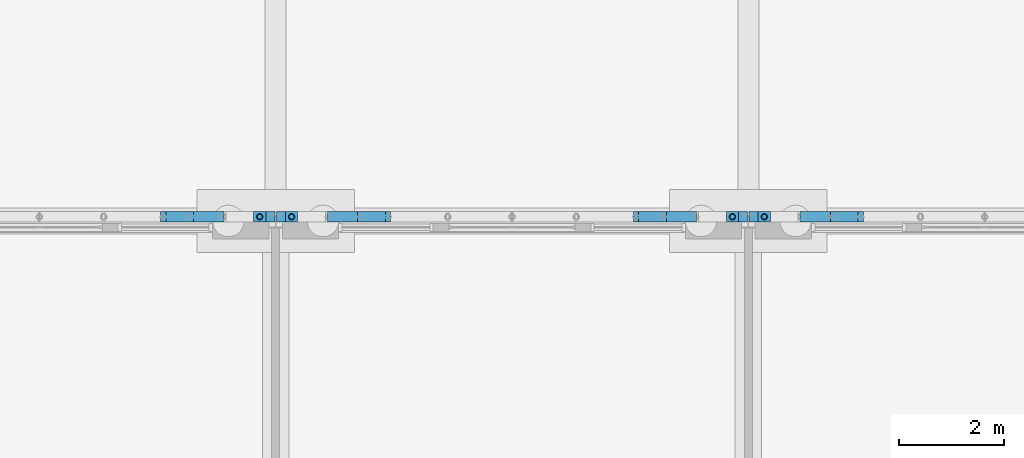
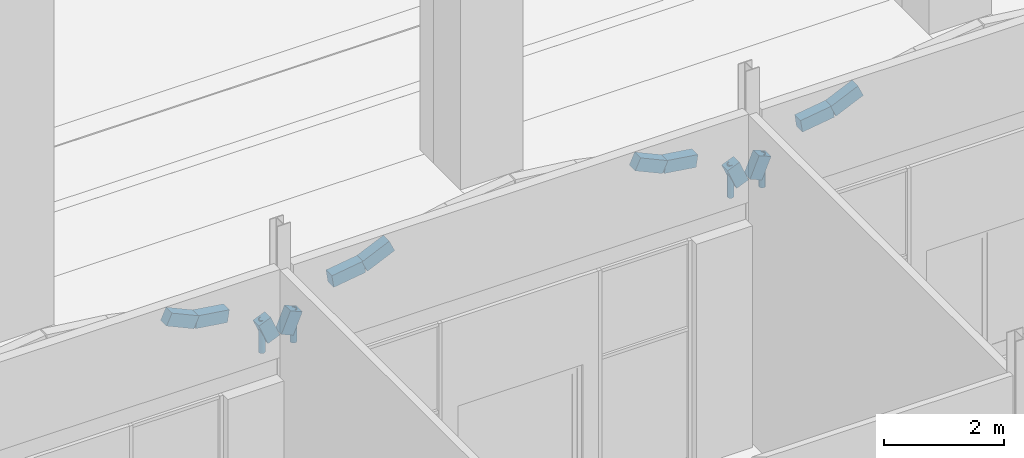
# One storey, part 72 of 250: 12 beams, 4 members.
"""IFC4 building model written with IfcOpenShell, lengths in metres."""

from ifc_helpers import new_model, si_unit, direction, frame, origin, origin_2d, place, context, subcontext, project, spatial, rectangle, hollow_circle, extrude, material, material_profile, profile_set, type_object, element, save


model = new_model("IFC4")

# Units and contexts
model_context = context("Model", 3, precision=1e-05, world=origin(), true_north=direction((0.0, 1.0)))
body_context = subcontext(model_context, "Body", "Model", "MODEL_VIEW")
ifc_project = project(units=[si_unit("LENGTHUNIT", "METRE"), si_unit("AREAUNIT", "SQUARE_METRE"), si_unit("VOLUMEUNIT", "CUBIC_METRE"), si_unit("PLANEANGLEUNIT", "RADIAN"), si_unit("MASSUNIT", "GRAM", prefix="KILO")], contexts=[model_context])

# Site, building, storey
site_placement = place(None, origin())
site = spatial("IfcSite", under=ifc_project, at=site_placement, CompositionType="ELEMENT")
building_placement = place(site_placement, origin())
building = spatial("IfcBuilding", under=site, at=building_placement, Name="Baradari Gate Terminus", CompositionType="ELEMENT")
storey_placement = place(building_placement, origin())
storey = spatial("IfcBuildingStorey", under=building, at=storey_placement, Name="L00", CompositionType="ELEMENT", Elevation=0.0)

# Members
ifc_material_1 = material(Name="Steel S355", Category="steel")
ifc_material_profile_1 = material_profile(ifc_material_1, hollow_circle(Radius=0.05712890625, WallThickness=0.00634765625, at=origin_2d()), Name="CHS 114.3x6.3")
ifc_profile_set_1 = profile_set([ifc_material_profile_1], Name="Steel S355")
member_type = type_object("IfcMemberType", Name="Arcade arch post SP-2 114x6.3", PredefinedType="POST", material=ifc_profile_set_1)
for number, where, z_axis, x_axis, name in (
    (1, (206.697021484375, 108.07861328125, 4.89990234375), (0.0, 0.0, 1.0), (1.0, 0.0, 0.0), "Arcade arch post 22.12"),
    (2, (207.302978515625, 108.07861328125, 4.89990234375), (0.0, 0.0, 1.0), (1.0, 0.0, 0.0), "Arcade arch post 23.2"),
    (3, (215.697021484375, 108.07861328125, 4.89990234375), (0.0, 0.0, 1.0), (1.0, 0.0, 0.0), "Arcade arch post 23.12"),
    (4, (216.302978515625, 108.07861328125, 4.89990234375), (0.0, 0.0, 1.0), (1.0, 0.0, 0.0), "Arcade arch post 24.2"),
):
    element("IfcMember", number, at=place(storey_placement, frame(where, z_axis=z_axis, x_axis=x_axis)), inside=storey, type_object=member_type, Name=name, PredefinedType="POST", context=body_context, shape_type="SweptSolid", body=[
        extrude(hollow_circle(Radius=0.05712890625, WallThickness=0.00634765625, at=origin_2d()), origin(), (0.0, 0.0, 1.0), 0.66796875),
    ])

# Beams
ifc_material_2 = material(Name="Concrete C40/50 precast", Category="concrete")
ifc_material_profile_2 = material_profile(ifc_material_2, rectangle(XDim=0.199951171875, YDim=0.25, at=origin_2d()), Name="AB-1 200X250")
ifc_profile_set_2 = profile_set([ifc_material_profile_2], Name="Concrete C40/50 precast")
beam_type = type_object("IfcBeamType", Name="Arcade arch segment AB-1 200x250", PredefinedType="BEAM", material=ifc_profile_set_2)
beam_1_placement = place(storey_placement, frame((204.86083984375, 108.07861328125, 6.254150390625), z_axis=(0.910177822616, 0.0, -0.414217734071), x_axis=(0.0, 1.0, 0.0)))
element("IfcBeam", 5, at=beam_1_placement, inside=storey, type_object=beam_type, Name="Arcade arch AB-1 bay 22 segment 9", PredefinedType="BEAM", context=body_context, shape_type="SweptSolid", body=[
    extrude(rectangle(XDim=0.199951171875, YDim=0.25, at=origin_2d()), origin(), (0.0, 0.0, 1.0), 0.576416015625),
])
beam_2_placement = place(storey_placement, frame((205.385498046875, 108.07861328125, 6.015380859375), z_axis=(0.989454167091, 0.0, -0.144846302083), x_axis=(0.0, 1.0, 0.0)))
element("IfcBeam", 6, at=beam_2_placement, inside=storey, type_object=beam_type, Name="Arcade arch AB-1 bay 22 segment 10", PredefinedType="BEAM", context=body_context, shape_type="SweptSolid", body=[
    extrude(rectangle(XDim=0.199951171875, YDim=0.25, at=origin_2d()), origin(), (0.0, 0.0, 1.0), 0.61865234375),
])
for number, where, z_axis, x_axis, name in (
    (7, (206.697021484375, 108.07861328125, 5.56787109375), (0.385839488106, 0.0, -0.922565926868), (0.0, 1.0, 0.0), "Arcade arch AB-1 bay 22 segment 12"),
    (8, (207.128173828125, 108.07861328125, 5.14990234375), (0.385839488106, 0.0, 0.922565926868), (0.0, 1.0, 0.0), "Arcade arch AB-1 bay 23 segment 1"),
):
    element("IfcBeam", number, at=place(storey_placement, frame(where, z_axis=z_axis, x_axis=x_axis)), inside=storey, type_object=beam_type, Name=name, PredefinedType="BEAM", context=body_context, shape_type="SweptSolid", body=[
        extrude(rectangle(XDim=0.199951171875, YDim=0.25, at=origin_2d()), origin(), (0.0, 0.0, 1.0), 0.453125),
    ])
beam_3_placement = place(storey_placement, frame((208.00244140625, 108.07861328125, 5.92578125), z_axis=(0.989454167091, 0.0, 0.144846302083), x_axis=(0.0, 1.0, 0.0)))
element("IfcBeam", 9, at=beam_3_placement, inside=storey, type_object=beam_type, Name="Arcade arch AB-1 bay 23 segment 3", PredefinedType="BEAM", context=body_context, shape_type="SweptSolid", body=[
    extrude(rectangle(XDim=0.199951171875, YDim=0.25, at=origin_2d()), origin(), (0.0, 0.0, 1.0), 0.61865234375),
])
for number, where, z_axis, x_axis, name in (
    (10, (208.614501953125, 108.07861328125, 6.015380859375), (0.910177822616, 0.0, 0.414217734071), (0.0, 1.0, 0.0), "Arcade arch AB-1 bay 23 segment 4"),
    (11, (213.86083984375, 108.07861328125, 6.254150390625), (0.910177822616, 0.0, -0.414217734071), (0.0, 1.0, 0.0), "Arcade arch AB-1 bay 23 segment 9"),
):
    element("IfcBeam", number, at=place(storey_placement, frame(where, z_axis=z_axis, x_axis=x_axis)), inside=storey, type_object=beam_type, Name=name, PredefinedType="BEAM", context=body_context, shape_type="SweptSolid", body=[
        extrude(rectangle(XDim=0.199951171875, YDim=0.25, at=origin_2d()), origin(), (0.0, 0.0, 1.0), 0.576416015625),
    ])
beam_4_placement = place(storey_placement, frame((214.385498046875, 108.07861328125, 6.015380859375), z_axis=(0.989454167091, 0.0, -0.144846302083), x_axis=(0.0, 1.0, 0.0)))
element("IfcBeam", 12, at=beam_4_placement, inside=storey, type_object=beam_type, Name="Arcade arch AB-1 bay 23 segment 10", PredefinedType="BEAM", context=body_context, shape_type="SweptSolid", body=[
    extrude(rectangle(XDim=0.199951171875, YDim=0.25, at=origin_2d()), origin(), (0.0, 0.0, 1.0), 0.61865234375),
])
for number, where, z_axis, x_axis, name in (
    (13, (215.697021484375, 108.07861328125, 5.56787109375), (0.385839488106, 0.0, -0.922565926868), (0.0, 1.0, 0.0), "Arcade arch AB-1 bay 23 segment 12"),
    (14, (216.128173828125, 108.07861328125, 5.14990234375), (0.385839488106, 0.0, 0.922565926868), (0.0, 1.0, 0.0), "Arcade arch AB-1 bay 24 segment 1"),
):
    element("IfcBeam", number, at=place(storey_placement, frame(where, z_axis=z_axis, x_axis=x_axis)), inside=storey, type_object=beam_type, Name=name, PredefinedType="BEAM", context=body_context, shape_type="SweptSolid", body=[
        extrude(rectangle(XDim=0.199951171875, YDim=0.25, at=origin_2d()), origin(), (0.0, 0.0, 1.0), 0.453125),
    ])
beam_5_placement = place(storey_placement, frame((217.00244140625, 108.07861328125, 5.92578125), z_axis=(0.989454167091, 0.0, 0.144846302083), x_axis=(0.0, 1.0, 0.0)))
element("IfcBeam", 15, at=beam_5_placement, inside=storey, type_object=beam_type, Name="Arcade arch AB-1 bay 24 segment 3", PredefinedType="BEAM", context=body_context, shape_type="SweptSolid", body=[
    extrude(rectangle(XDim=0.199951171875, YDim=0.25, at=origin_2d()), origin(), (0.0, 0.0, 1.0), 0.61865234375),
])
beam_6_placement = place(storey_placement, frame((217.614501953125, 108.07861328125, 6.015380859375), z_axis=(0.910177822616, 0.0, 0.414217734071), x_axis=(0.0, 1.0, 0.0)))
element("IfcBeam", 16, at=beam_6_placement, inside=storey, type_object=beam_type, Name="Arcade arch AB-1 bay 24 segment 4", PredefinedType="BEAM", context=body_context, shape_type="SweptSolid", body=[
    extrude(rectangle(XDim=0.199951171875, YDim=0.25, at=origin_2d()), origin(), (0.0, 0.0, 1.0), 0.576416015625),
])

save(model, "model.ifc")
